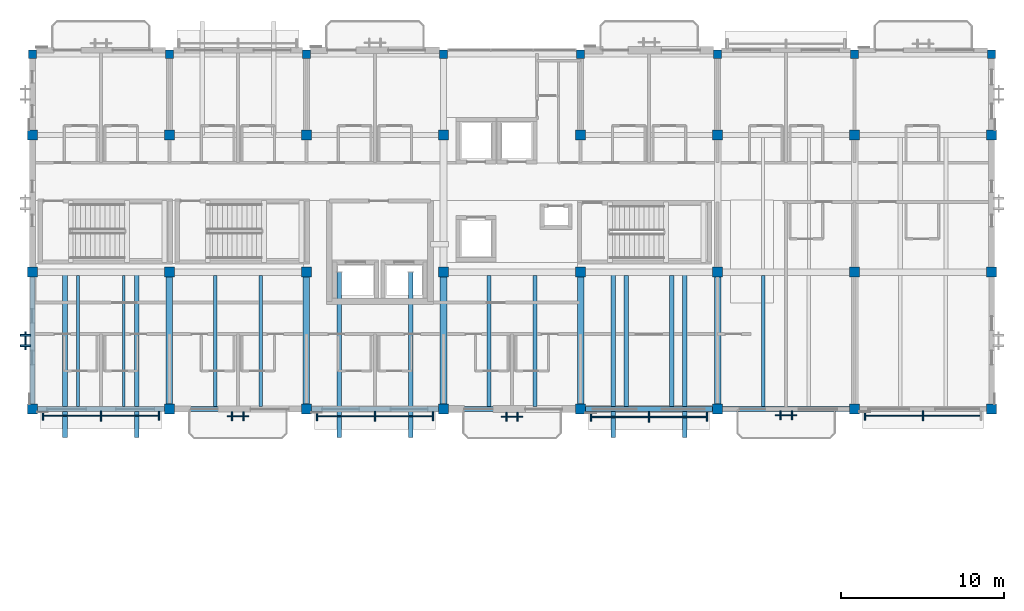
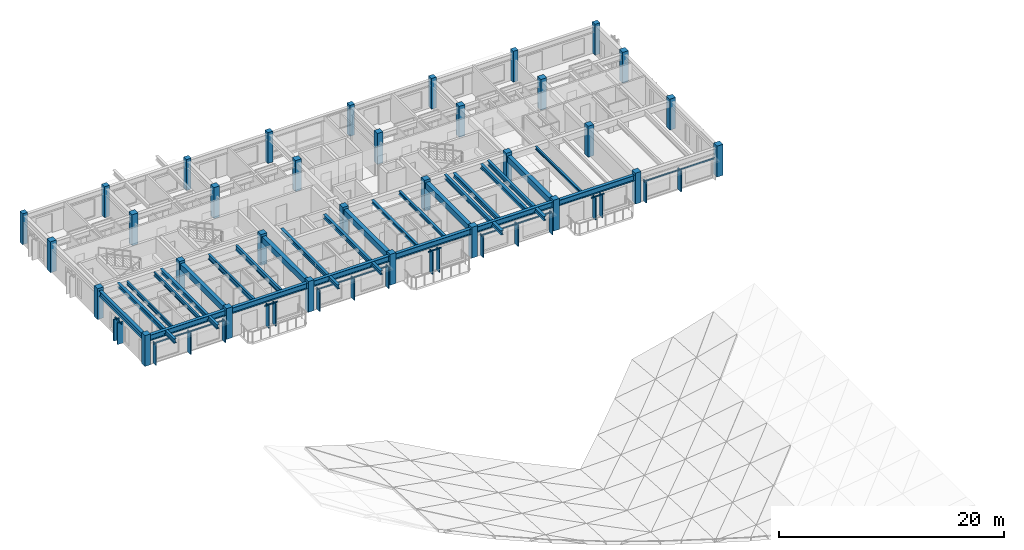
# One storey, part 1 of 31: 32 columns, 27 beams, 27 members, 8 elements without a shape of their own.
"""IFC4 building model written with IfcOpenShell, lengths in metres."""

import ifcopenshell
import ifcopenshell.guid

model = None  # the IFC model being written
_history = None  # IfcOwnerHistory: only IFC2X3 demands one
_inside = {}  # id of a spatial element -> (the spatial element, [elements in it])
_under = {}  # id of a project, library or spatial element -> (it, [spatial elements below it])
_declared = {}  # id of a project -> (the project, [libraries it declares])
_typed = {}  # id of a type object -> (the type object, [elements of that type])
_made_of = {}  # id of a material, layer set ... -> (it, [elements and type objects made of it])


def new_model(schema):
    """Start an empty IFC model of exactly this schema.

    Asked for "IFC4X3", IfcOpenShell would pick the latest addendum, in which some entities
    have other attributes; the version numbers below select the first issue.
    IFC2X3 requires an IfcOwnerHistory on every rooted entity: one is made here for all.
    """
    global model, _history
    if schema == "IFC4X3":
        model = ifcopenshell.file(schema_version=(4, 3, 0, 0))
    else:
        model = ifcopenshell.file(schema=schema)
    _inside.clear()
    _under.clear()
    _declared.clear()
    _typed.clear()
    _made_of.clear()
    _history = None
    if model.schema == "IFC2X3":
        org = make("IfcOrganization", Name="unknown")
        user = make(
            "IfcPersonAndOrganization",
            ThePerson=make("IfcPerson", FamilyName="unknown"),
            TheOrganization=org,
        )
        app = make(
            "IfcApplication",
            ApplicationDeveloper=org,
            Version="unknown",
            ApplicationFullName="unknown",
            ApplicationIdentifier="unknown",
        )
        _history = make(
            "IfcOwnerHistory",
            OwningUser=user,
            OwningApplication=app,
            ChangeAction="ADDED",
            CreationDate=0,
        )
    return model


def make(cls, **values):
    """One entity of the class cls with the attributes given. An attribute that is None is left unset."""
    return model.create_entity(
        cls, **{name: value for name, value in values.items() if value is not None}
    )


def rooted(cls, **values):
    """An entity with a GlobalId (a new one), such as an element, a storey or a relation."""
    return make(cls, GlobalId=ifcopenshell.guid.new(), OwnerHistory=_history, **values)


def si_unit(unit_type, name, prefix=None):
    """IfcSIUnit, for example si_unit("LENGTHUNIT", "METRE", prefix="MILLI")."""
    return make("IfcSIUnit", UnitType=unit_type, Prefix=prefix, Name=name)


def assignment(units):
    """IfcUnitAssignment: the units of a project."""
    return None if units is None else make("IfcUnitAssignment", Units=units)


def point(xyz):
    """IfcCartesianPoint."""
    return None if xyz is None else make("IfcCartesianPoint", Coordinates=xyz)


def direction(xyz):
    """IfcDirection."""
    return None if xyz is None else make("IfcDirection", DirectionRatios=xyz)


def frame(location, z_axis=None, x_axis=None):
    """IfcAxis2Placement3D, a coordinate frame: its origin and axes. An axis left out is left unset."""
    return make(
        "IfcAxis2Placement3D",
        Location=point(location),
        Axis=direction(z_axis),
        RefDirection=direction(x_axis),
    )


def frame_2d(location, x_axis=None):
    """IfcAxis2Placement2D, a coordinate frame in the plane: its origin and x axis."""
    return make(
        "IfcAxis2Placement2D", Location=point(location), RefDirection=direction(x_axis)
    )


def origin():
    """The frame at (0, 0, 0) with its axes left unset."""
    return frame((0.0, 0.0, 0.0))


def origin_2d():
    """The frame at (0, 0) in the plane with its x axis left unset."""
    return frame_2d((0.0, 0.0))


def place(relative_to, where):
    """IfcLocalPlacement: puts the frame where relative to a parent placement (None: the world)."""
    return make(
        "IfcLocalPlacement", PlacementRelTo=relative_to, RelativePlacement=where
    )


def context(
    kind, dimensions, precision=None, world=None, true_north=None, identifier=None
):
    """IfcGeometricRepresentationContext, for example the 3D "Model" context."""
    return make(
        "IfcGeometricRepresentationContext",
        ContextIdentifier=identifier,
        ContextType=kind,
        CoordinateSpaceDimension=dimensions,
        Precision=precision,
        WorldCoordinateSystem=world,
        TrueNorth=true_north,
    )


def subcontext(parent, identifier, kind, view, scale=None):
    """IfcGeometricRepresentationSubContext, for example "Body" below "Model"."""
    return make(
        "IfcGeometricRepresentationSubContext",
        ContextIdentifier=identifier,
        ContextType=kind,
        ParentContext=parent,
        TargetScale=scale,
        TargetView=view,
    )


def project(units=None, contexts=None):
    """IfcProject with its units and contexts."""
    return rooted(
        "IfcProject",
        Name="project",
        RepresentationContexts=contexts,
        UnitsInContext=assignment(units),
    )


def spatial(cls, under=None, at=None, **own):
    """A site, building, storey or space (cls), placed at a placement, below another one or the project."""
    s = rooted(cls, ObjectPlacement=at, **own)
    if under is not None:
        _under.setdefault(under.id(), (under, []))[1].append(s)
    return s


def profile(cls, at=None, kind="AREA", **sizes):
    """A parametric profile (cls). Its sizes go by their IFC names, for example OverallWidth=200.0."""
    return make(cls, ProfileType=kind, Position=at, **sizes)


def rectangle(**sizes):
    """IfcRectangleProfileDef."""
    return profile("IfcRectangleProfileDef", **sizes)


def i_section(**sizes):
    """IfcIShapeProfileDef."""
    return profile("IfcIShapeProfileDef", **sizes)


def extrude(swept, where, along, depth):
    """IfcExtrudedAreaSolid: the profile swept, set in the frame where, extruded along a direction by depth."""
    return make(
        "IfcExtrudedAreaSolid",
        SweptArea=swept,
        Position=where,
        ExtrudedDirection=direction(along),
        Depth=depth,
    )


def shape(context_of_items, identifier, shape_type, items):
    """IfcShapeRepresentation: the items that make up one representation, for example the "Body"."""
    return make(
        "IfcShapeRepresentation",
        ContextOfItems=context_of_items,
        RepresentationIdentifier=identifier,
        RepresentationType=shape_type,
        Items=items,
    )


def material(Name=None, Category=None):
    """IfcMaterial."""
    return make("IfcMaterial", Name=Name, Category=Category)


def material_profile(
    of_material, cross_section, Name=None, Category=None, Priority=None
):
    """IfcMaterialProfile: a cross section and its material."""
    return make(
        "IfcMaterialProfile",
        Name=Name,
        Material=of_material,
        Profile=cross_section,
        Priority=Priority,
        Category=Category,
    )


def profile_set(profiles, Name=None, composite=None):
    """IfcMaterialProfileSet."""
    return make(
        "IfcMaterialProfileSet",
        Name=Name,
        MaterialProfiles=profiles,
        CompositeProfile=composite,
    )


def made_of(thing, what):
    """Note that an element or type object is made of a material, layer set ...; save() writes the relation."""
    if what is not None:
        _made_of.setdefault(what.id(), (what, []))[1].append(thing)
    return thing


def type_object(cls, material=None, **own):
    """A type object (cls), such as IfcWallType, which elements share."""
    return made_of(rooted(cls, **own), material)


def element(
    cls,
    number,
    at=None,
    inside=None,
    cuts=None,
    type_object=None,
    material=None,
    context=None,
    identifier="Body",
    shape_type=None,
    held_by="IfcProductDefinitionShape",
    body=None,
    shapes=None,
    **own,
):
    """One element of the class cls, such as IfcWall. Its Tag is "e" and its number.

    at: its placement. inside: the storey or other place that contains it. cuts: it is an
    opening in that element (IfcRelVoidsElement). A single representation is given by context,
    identifier, shape_type and body (its items); several are given by shapes. held_by: the class
    of the entity that holds the representations. save() writes the other relations.
    """
    e = rooted(cls, Tag="e%d" % number, ObjectPlacement=at, **own)
    if body is not None:
        shapes = [shape(context, identifier, shape_type, body)]
    if shapes is not None:
        e.Representation = make(held_by, Representations=shapes)
    if inside is not None:
        _inside.setdefault(inside.id(), (inside, []))[1].append(e)
    if cuts is not None:
        rooted(
            "IfcRelVoidsElement", RelatingBuildingElement=cuts, RelatedOpeningElement=e
        )
    if type_object is not None:
        _typed.setdefault(type_object.id(), (type_object, []))[1].append(e)
    return made_of(e, material)


def aggregate(whole, parts):
    """IfcRelAggregates: a whole, such as a stair, and the parts it consists of."""
    return rooted("IfcRelAggregates", RelatingObject=whole, RelatedObjects=parts)


def save(model, path):
    """Write the relations noted so far, then the file.

    IfcRelAggregates (storeys below a building ...), IfcRelContainedInSpatialStructure (elements
    in a storey), IfcRelDefinesByType, IfcRelAssociatesMaterial and IfcRelDeclares: one each for
    every whole, place, type object, material and project.
    """
    for whole, parts in _under.values():
        aggregate(whole, parts)
    for where, things in _inside.values():
        rooted(
            "IfcRelContainedInSpatialStructure",
            RelatedElements=things,
            RelatingStructure=where,
        )
    for kind, things in _typed.values():
        rooted("IfcRelDefinesByType", RelatedObjects=things, RelatingType=kind)
    for what, things in _made_of.values():
        rooted("IfcRelAssociatesMaterial", RelatedObjects=things, RelatingMaterial=what)
    for by, libraries in _declared.values():
        rooted("IfcRelDeclares", RelatingContext=by, RelatedDefinitions=libraries)
    model.write(path)


model = new_model("IFC4")

# Units and contexts
model_context = context("Model", 3, precision=1e-05, world=origin(), true_north=direction((0.0, 1.0)))
body_context = subcontext(model_context, "Body", "Model", "MODEL_VIEW")
ifc_project = project(units=[si_unit("LENGTHUNIT", "METRE"), si_unit("AREAUNIT", "SQUARE_METRE"), si_unit("VOLUMEUNIT", "CUBIC_METRE"), si_unit("PLANEANGLEUNIT", "RADIAN"), si_unit("MASSUNIT", "GRAM", prefix="KILO")], contexts=[model_context])

# Site, building, storey
site_placement = place(None, origin())
site = spatial("IfcSite", under=ifc_project, at=site_placement, CompositionType="ELEMENT")
building_placement = place(site_placement, origin())
building = spatial("IfcBuilding", under=site, at=building_placement, Name="Cumbredor Promenade Congress Hotel", CompositionType="ELEMENT")
storey_placement = place(building_placement, frame((0.0, 0.0, 31.919921875)))
storey = spatial("IfcBuildingStorey", under=building, at=storey_placement, Name="L09", CompositionType="ELEMENT", Elevation=31.919921875)

# Columns
ifc_material_1 = material(Name="Concrete C40/50", Category="concrete")
ifc_material_profile_1 = material_profile(ifc_material_1, rectangle(XDim=0.5, YDim=0.5, at=origin_2d()), Name="RC 500x500")
ifc_profile_set_1 = profile_set([ifc_material_profile_1], Name="Concrete C40/50")
column_type_1 = type_object("IfcColumnType", Name="COL-RC-500", PredefinedType="COLUMN", material=ifc_profile_set_1)
for number, where, z_axis, x_axis, name in (
    (1, (8.39990234375, 114.14990234375, 0.0), (0.0, 0.0, 1.0), (1.0, 0.0, 0.0), "L09 Structural Column 004"),
    (2, (16.800048828125, 114.14990234375, 0.0), (0.0, 0.0, 1.0), (1.0, 0.0, 0.0), "L09 Structural Column 008"),
    (3, (25.199951171875, 114.14990234375, 0.0), (0.0, 0.0, 1.0), (1.0, 0.0, 0.0), "L09 Structural Column 012"),
    (4, (33.60009765625, 114.14990234375, 0.0), (0.0, 0.0, 1.0), (1.0, 0.0, 0.0), "L09 Structural Column 016"),
    (5, (42.0, 114.14990234375, 0.0), (0.0, 0.0, 1.0), (1.0, 0.0, 0.0), "L09 Structural Column 020"),
    (6, (50.39990234375, 114.14990234375, 0.0), (0.0, 0.0, 1.0), (1.0, 0.0, 0.0), "L09 Structural Column 024"),
    (7, (58.800048828125, 114.14990234375, 0.0), (0.0, 0.0, 1.0), (1.0, 0.0, 0.0), "L09 Structural Column 028"),
    (8, (67.199951171875, 114.14990234375, 0.0), (0.0, 0.0, 1.0), (1.0, 0.0, 0.0), "L09 Structural Column 032"),
):
    element("IfcColumn", number, at=place(storey_placement, frame(where, z_axis=z_axis, x_axis=x_axis)), inside=storey, type_object=column_type_1, Name=name, PredefinedType="COLUMN", context=body_context, shape_type="SweptSolid", body=[
        extrude(rectangle(XDim=0.5, YDim=0.5, at=origin_2d()), origin(), (0.0, 0.0, 1.0), 3.360107421875),
    ])
ifc_material_profile_2 = material_profile(ifc_material_1, rectangle(XDim=0.60009765625, YDim=0.60009765625, at=origin_2d()), Name="RC 600x600")
ifc_profile_set_2 = profile_set([ifc_material_profile_2], Name="Concrete C40/50")
column_type_2 = type_object("IfcColumnType", Name="COL-RC-600", PredefinedType="COLUMN", material=ifc_profile_set_2)
for number, where, z_axis, x_axis, name in (
    (9, (8.39990234375, 92.39990234375, 0.0), (0.0, 0.0, 1.0), (1.0, 0.0, 0.0), "L09 Structural Column 001"),
    (10, (8.39990234375, 100.800048828125, 0.0), (0.0, 0.0, 1.0), (1.0, 0.0, 0.0), "L09 Structural Column 002"),
    (11, (8.39990234375, 109.199951171875, 0.0), (0.0, 0.0, 1.0), (1.0, 0.0, 0.0), "L09 Structural Column 003"),
    (12, (16.800048828125, 92.39990234375, 0.0), (0.0, 0.0, 1.0), (1.0, 0.0, 0.0), "L09 Structural Column 005"),
    (13, (16.800048828125, 100.800048828125, 0.0), (0.0, 0.0, 1.0), (1.0, 0.0, 0.0), "L09 Structural Column 006"),
    (14, (16.800048828125, 109.199951171875, 0.0), (0.0, 0.0, 1.0), (1.0, 0.0, 0.0), "L09 Structural Column 007"),
    (15, (25.199951171875, 92.39990234375, 0.0), (0.0, 0.0, 1.0), (1.0, 0.0, 0.0), "L09 Structural Column 009"),
    (16, (25.199951171875, 100.800048828125, 0.0), (0.0, 0.0, 1.0), (1.0, 0.0, 0.0), "L09 Structural Column 010"),
    (17, (25.199951171875, 109.199951171875, 0.0), (0.0, 0.0, 1.0), (1.0, 0.0, 0.0), "L09 Structural Column 011"),
    (18, (33.60009765625, 92.39990234375, 0.0), (0.0, 0.0, 1.0), (1.0, 0.0, 0.0), "L09 Structural Column 013"),
    (19, (33.60009765625, 100.800048828125, 0.0), (0.0, 0.0, 1.0), (1.0, 0.0, 0.0), "L09 Structural Column 014"),
    (20, (33.60009765625, 109.199951171875, 0.0), (0.0, 0.0, 1.0), (1.0, 0.0, 0.0), "L09 Structural Column 015"),
    (21, (42.0, 92.39990234375, 0.0), (0.0, 0.0, 1.0), (1.0, 0.0, 0.0), "L09 Structural Column 017"),
    (22, (42.0, 100.800048828125, 0.0), (0.0, 0.0, 1.0), (1.0, 0.0, 0.0), "L09 Structural Column 018"),
    (23, (42.0, 109.199951171875, 0.0), (0.0, 0.0, 1.0), (1.0, 0.0, 0.0), "L09 Structural Column 019"),
    (24, (50.39990234375, 92.39990234375, 0.0), (0.0, 0.0, 1.0), (1.0, 0.0, 0.0), "L09 Structural Column 021"),
    (25, (50.39990234375, 100.800048828125, 0.0), (0.0, 0.0, 1.0), (1.0, 0.0, 0.0), "L09 Structural Column 022"),
    (26, (50.39990234375, 109.199951171875, 0.0), (0.0, 0.0, 1.0), (1.0, 0.0, 0.0), "L09 Structural Column 023"),
    (27, (58.800048828125, 92.39990234375, 0.0), (0.0, 0.0, 1.0), (1.0, 0.0, 0.0), "L09 Structural Column 025"),
    (28, (58.800048828125, 100.800048828125, 0.0), (0.0, 0.0, 1.0), (1.0, 0.0, 0.0), "L09 Structural Column 026"),
    (29, (58.800048828125, 109.199951171875, 0.0), (0.0, 0.0, 1.0), (1.0, 0.0, 0.0), "L09 Structural Column 027"),
    (30, (67.199951171875, 92.39990234375, 0.0), (0.0, 0.0, 1.0), (1.0, 0.0, 0.0), "L09 Structural Column 029"),
    (31, (67.199951171875, 100.800048828125, 0.0), (0.0, 0.0, 1.0), (1.0, 0.0, 0.0), "L09 Structural Column 030"),
    (32, (67.199951171875, 109.199951171875, 0.0), (0.0, 0.0, 1.0), (1.0, 0.0, 0.0), "L09 Structural Column 031"),
):
    element("IfcColumn", number, at=place(storey_placement, frame(where, z_axis=z_axis, x_axis=x_axis)), inside=storey, type_object=column_type_2, Name=name, PredefinedType="COLUMN", context=body_context, shape_type="SweptSolid", body=[
        extrude(rectangle(XDim=0.60009765625, YDim=0.60009765625, at=origin_2d()), origin(), (0.0, 0.0, 1.0), 3.360107421875),
    ])

# Beams
ifc_material_profile_3 = material_profile(ifc_material_1, rectangle(XDim=0.39990234375, YDim=0.64990234375, at=origin_2d()), Name="RC BEAM 400x650")
ifc_profile_set_3 = profile_set([ifc_material_profile_3], Name="Concrete C40/50")
beam_type_1 = type_object("IfcBeamType", Name="BM-RC-400x650", PredefinedType="BEAM", material=ifc_profile_set_3)
for number, where, z_axis, x_axis, name in (
    (33, (16.800048828125, 92.699951171875, 2.775146484375), (0.0, 1.0, 0.0), (-1.0, 0.0, 0.0), "L10 Y-Grid Beam 008"),
    (34, (25.199951171875, 92.699951171875, 2.775146484375), (0.0, 1.0, 0.0), (-1.0, 0.0, 0.0), "L10 Y-Grid Beam 013"),
    (35, (33.60009765625, 92.699951171875, 2.775146484375), (0.0, 1.0, 0.0), (-1.0, 0.0, 0.0), "L10 Y-Grid Beam 017"),
    (36, (42.0, 92.699951171875, 2.775146484375), (0.0, 1.0, 0.0), (-1.0, 0.0, 0.0), "L10 Y-Grid Beam 022"),
    (37, (50.39990234375, 92.699951171875, 2.715087890625), (0.0, 1.0, 0.0), (-1.0, 0.0, 0.0), "L10 Y-Grid Beam 027"),
):
    element("IfcBeam", number, at=place(storey_placement, frame(where, z_axis=z_axis, x_axis=x_axis)), inside=storey, type_object=beam_type_1, Name=name, PredefinedType="BEAM", context=body_context, shape_type="SweptSolid", body=[
        extrude(rectangle(XDim=0.39990234375, YDim=0.64990234375, at=origin_2d()), origin(), (0.0, 0.0, 1.0), 7.800048828125),
    ])
ifc_material_2 = material(Name="Steel ASTM A992 Grade 50", Category="steel")
ifc_material_profile_4 = material_profile(ifc_material_2, i_section(OverallWidth=0.323974609375, OverallDepth=0.611083984375, WebThickness=0.0126953125, FlangeThickness=0.01904296875, at=origin_2d()), Name="W24X104")
ifc_profile_set_4 = profile_set([ifc_material_profile_4], Name="Steel ASTM A992 Grade 50")
beam_type_2 = type_object("IfcBeamType", Name="BM-W24X104", PredefinedType="BEAM", material=ifc_profile_set_4)
beam_1_placement = place(storey_placement, frame((8.699951171875, 92.39990234375, 2.794677734375), z_axis=(1.0, 0.0, 0.0), x_axis=(0.0, 1.0, 0.0)))
element("IfcBeam", 38, at=beam_1_placement, inside=storey, type_object=beam_type_2, Name="L10 X-Grid Beam 001", PredefinedType="BEAM", context=body_context, shape_type="SweptSolid", body=[
    extrude(i_section(OverallWidth=0.323974609375, OverallDepth=0.611083984375, WebThickness=0.0126953125, FlangeThickness=0.01904296875, at=origin_2d()), origin(), (0.0, 0.0, 1.0), 7.800048828125),
])
beam_2_placement = place(storey_placement, frame((17.10009765625, 92.39990234375, 2.794677734375), z_axis=(1.0, 0.0, 0.0), x_axis=(0.0, 1.0, 0.0)))
element("IfcBeam", 39, at=beam_2_placement, inside=storey, type_object=beam_type_2, Name="L10 X-Grid Beam 007", PredefinedType="BEAM", context=body_context, shape_type="SweptSolid", body=[
    extrude(i_section(OverallWidth=0.323974609375, OverallDepth=0.611083984375, WebThickness=0.0126953125, FlangeThickness=0.01904296875, at=origin_2d()), origin(), (0.0, 0.0, 1.0), 7.7998046875),
])
for number, where, z_axis, x_axis, name in (
    (40, (25.5, 92.39990234375, 2.794677734375), (1.0, 0.0, 0.0), (0.0, 1.0, 0.0), "L10 X-Grid Beam 012"),
    (41, (33.89990234375, 92.39990234375, 2.794677734375), (1.0, 0.0, 0.0), (0.0, 1.0, 0.0), "L10 X-Grid Beam 016"),
    (42, (42.300048828125, 92.39990234375, 2.794677734375), (1.0, 0.0, 0.0), (0.0, 1.0, 0.0), "L10 X-Grid Beam 021"),
    (43, (50.699951171875, 92.39990234375, 2.734619140625), (1.0, 0.0, 0.0), (0.0, 1.0, 0.0), "L10 X-Grid Beam 026"),
):
    element("IfcBeam", number, at=place(storey_placement, frame(where, z_axis=z_axis, x_axis=x_axis)), inside=storey, type_object=beam_type_2, Name=name, PredefinedType="BEAM", context=body_context, shape_type="SweptSolid", body=[
        extrude(i_section(OverallWidth=0.323974609375, OverallDepth=0.611083984375, WebThickness=0.0126953125, FlangeThickness=0.01904296875, at=origin_2d()), origin(), (0.0, 0.0, 1.0), 7.800048828125),
    ])

# Curtain wall, member
ifc_material_3 = material(Name="Thermally broken anodized aluminium and low-E glass", Category="aluminium")
curtain_wall_type = type_object("IfcCurtainWallType", Name="Solar Brise-Soleil Screen Assembly CW-07", PredefinedType="NOTDEFINED", material=ifc_material_3)
curtain_wall_1_placement = place(storey_placement, origin())
curtain_wall_1 = element("IfcCurtainWall", 44, at=curtain_wall_1_placement, inside=storey, type_object=curtain_wall_type, Name="L09 Hospitality Brise-Soleil Screen 111", PredefinedType="NOTDEFINED")
ifc_material_4 = material(Name="Thermally broken anodized aluminium", Category="aluminium")
ifc_material_profile_5 = material_profile(ifc_material_4, rectangle(XDim=0.06494140625, YDim=0.1298828125, at=origin_2d()), Name="ALU TRANSOM 65x130")
ifc_profile_set_5 = profile_set([ifc_material_profile_5], Name="Thermally broken anodized aluminium")
member_type_1 = type_object("IfcMemberType", Name="Curtain Wall Transom TR-01", PredefinedType="USERDEFINED", material=ifc_profile_set_5)
member_1_placement = place(storey_placement, frame((9.0009765625, 91.9775390625, 2.294189453125), z_axis=(1.0, 0.0, 0.0), x_axis=(0.0, 1.0, 0.0)))
member_1 = element("IfcMember", 45, at=member_1_placement, type_object=member_type_1, Name="L09 Brise-Soleil Screen Transom 111", ObjectType="TRANSOM", PredefinedType="USERDEFINED", context=body_context, shape_type="SweptSolid", body=[
    extrude(rectangle(XDim=0.06494140625, YDim=0.1298828125, at=origin_2d()), origin(), (0.0, 0.0, 1.0), 7.197998046875),
])

curtain_wall_2_placement = place(storey_placement, origin())
curtain_wall_2 = element("IfcCurtainWall", 46, at=curtain_wall_2_placement, inside=storey, type_object=curtain_wall_type, Name="L09 Veranda Solar Brise-Soleil Screen 1096", PredefinedType="NOTDEFINED")
member_2_placement = place(storey_placement, frame((20.35009765625, 91.965087890625, 2.39404296875), z_axis=(1.0, 0.0, 0.0), x_axis=(0.0, 1.0, 0.0)))
member_2 = element("IfcMember", 47, at=member_2_placement, type_object=member_type_1, Name="L09 Brise-Soleil Header Tie 1098", ObjectType="TRANSOM", PredefinedType="USERDEFINED", context=body_context, shape_type="SweptSolid", body=[
    extrude(rectangle(XDim=0.06494140625, YDim=0.1298828125, at=origin_2d()), origin(), (0.0, 0.0, 1.0), 1.2998046875),
])

curtain_wall_3_placement = place(storey_placement, origin())
curtain_wall_3 = element("IfcCurtainWall", 48, at=curtain_wall_3_placement, inside=storey, type_object=curtain_wall_type, Name="L09 Hospitality Brise-Soleil Screen 112", PredefinedType="NOTDEFINED")
member_3_placement = place(storey_placement, frame((25.801025390625, 91.949951171875, 2.294189453125), z_axis=(1.0, 0.0, 0.0), x_axis=(0.0, 1.0, 0.0)))
member_3 = element("IfcMember", 49, at=member_3_placement, type_object=member_type_1, Name="L09 Brise-Soleil Screen Transom 112", ObjectType="TRANSOM", PredefinedType="USERDEFINED", context=body_context, shape_type="SweptSolid", body=[
    extrude(rectangle(XDim=0.06494140625, YDim=0.1298828125, at=origin_2d()), origin(), (0.0, 0.0, 1.0), 7.197998046875),
])

curtain_wall_4_placement = place(storey_placement, origin())
curtain_wall_4 = element("IfcCurtainWall", 50, at=curtain_wall_4_placement, inside=storey, type_object=curtain_wall_type, Name="L09 Veranda Solar Brise-Soleil Screen 1102", PredefinedType="NOTDEFINED")
member_4_placement = place(storey_placement, frame((37.14990234375, 91.927490234375, 2.39404296875), z_axis=(1.0, 0.0, 0.0), x_axis=(0.0, 1.0, 0.0)))
member_4 = element("IfcMember", 51, at=member_4_placement, type_object=member_type_1, Name="L09 Brise-Soleil Header Tie 1104", ObjectType="TRANSOM", PredefinedType="USERDEFINED", context=body_context, shape_type="SweptSolid", body=[
    extrude(rectangle(XDim=0.06494140625, YDim=0.1298828125, at=origin_2d()), origin(), (0.0, 0.0, 1.0), 1.300048828125),
])

curtain_wall_5_placement = place(storey_placement, origin())
curtain_wall_5 = element("IfcCurtainWall", 52, at=curtain_wall_5_placement, inside=storey, type_object=curtain_wall_type, Name="L09 Hospitality Brise-Soleil Screen 113", PredefinedType="NOTDEFINED")
member_5_placement = place(storey_placement, frame((42.60107421875, 91.9150390625, 2.294189453125), z_axis=(1.0, 0.0, 0.0), x_axis=(0.0, 1.0, 0.0)))
member_5 = element("IfcMember", 53, at=member_5_placement, type_object=member_type_1, Name="L09 Brise-Soleil Screen Transom 113", ObjectType="TRANSOM", PredefinedType="USERDEFINED", context=body_context, shape_type="SweptSolid", body=[
    extrude(rectangle(XDim=0.06494140625, YDim=0.1298828125, at=origin_2d()), origin(), (0.0, 0.0, 1.0), 7.197998046875),
])

curtain_wall_6_placement = place(storey_placement, origin())
curtain_wall_6 = element("IfcCurtainWall", 54, at=curtain_wall_6_placement, inside=storey, type_object=curtain_wall_type, Name="L09 Veranda Solar Brise-Soleil Screen 1108", PredefinedType="NOTDEFINED")
member_6_placement = place(storey_placement, frame((53.949951171875, 92.010009765625, 2.333984375), z_axis=(1.0, 0.0, 0.0), x_axis=(0.0, 1.0, 0.0)))
member_6 = element("IfcMember", 55, at=member_6_placement, type_object=member_type_1, Name="L09 Brise-Soleil Header Tie 1110", ObjectType="TRANSOM", PredefinedType="USERDEFINED", context=body_context, shape_type="SweptSolid", body=[
    extrude(rectangle(XDim=0.06494140625, YDim=0.1298828125, at=origin_2d()), origin(), (0.0, 0.0, 1.0), 1.300048828125),
])

curtain_wall_7_placement = place(storey_placement, origin())
curtain_wall_7 = element("IfcCurtainWall", 56, at=curtain_wall_7_placement, inside=storey, type_object=curtain_wall_type, Name="L09 Hospitality Brise-Soleil Screen 114", PredefinedType="NOTDEFINED")
member_7_placement = place(storey_placement, frame((59.40087890625, 92.0, 2.234130859375), z_axis=(1.0, 0.0, 0.0), x_axis=(0.0, 1.0, 0.0)))
member_7 = element("IfcMember", 57, at=member_7_placement, type_object=member_type_1, Name="L09 Brise-Soleil Screen Transom 114", ObjectType="TRANSOM", PredefinedType="USERDEFINED", context=body_context, shape_type="SweptSolid", body=[
    extrude(rectangle(XDim=0.06494140625, YDim=0.1298828125, at=origin_2d()), origin(), (0.0, 0.0, 1.0), 7.1982421875),
])

curtain_wall_8_placement = place(storey_placement, origin())
curtain_wall_8 = element("IfcCurtainWall", 58, at=curtain_wall_8_placement, inside=storey, type_object=curtain_wall_type, Name="L09 Pier Brise-Soleil Screen 1132", PredefinedType="NOTDEFINED")
member_8_placement = place(storey_placement, frame((7.9775390625, 96.050048828125, 2.31396484375), z_axis=(0.0, 1.0, 0.0), x_axis=(-1.0, 0.0, 0.0)))
member_8 = element("IfcMember", 59, at=member_8_placement, type_object=member_type_1, Name="L09 Pier Brise-Soleil Header 1134", ObjectType="TRANSOM", PredefinedType="USERDEFINED", context=body_context, shape_type="SweptSolid", body=[
    extrude(rectangle(XDim=0.06494140625, YDim=0.1298828125, at=origin_2d()), origin(), (0.0, 0.0, 1.0), 1.099853515625),
])

# Beams
ifc_material_profile_6 = material_profile(ifc_material_2, i_section(OverallWidth=0.202880859375, OverallDepth=0.302978515625, WebThickness=0.007568359375, FlangeThickness=0.01318359375, at=origin_2d()), Name="W12X40")
ifc_profile_set_6 = profile_set([ifc_material_profile_6], Name="Steel ASTM A992 Grade 50")
beam_type_3 = type_object("IfcBeamType", Name="JST-W12X40", PredefinedType="JOIST", material=ifc_profile_set_6)
beam_3_placement = place(storey_placement, frame((53.199951171875, 92.56201171875, 2.888671875), z_axis=(0.0, 1.0, 0.0), x_axis=(-1.0, 0.0, 0.0)))
element("IfcBeam", 60, at=beam_3_placement, inside=storey, type_object=beam_type_3, Name="L10 Secondary Floor Joist 0009", PredefinedType="JOIST", context=body_context, shape_type="SweptSolid", body=[
    extrude(i_section(OverallWidth=0.202880859375, OverallDepth=0.302978515625, WebThickness=0.007568359375, FlangeThickness=0.01318359375, at=origin_2d()), origin(), (0.0, 0.0, 1.0), 8.0380859375),
])
ifc_material_profile_7 = material_profile(ifc_material_2, i_section(OverallWidth=0.2548828125, OverallDepth=0.35693359375, WebThickness=0.010498046875, FlangeThickness=0.018310546875, at=origin_2d()), Name="W14X68")
ifc_profile_set_7 = profile_set([ifc_material_profile_7], Name="Steel ASTM A992 Grade 50")
beam_type_4 = type_object("IfcBeamType", Name="JST-W14X68", PredefinedType="JOIST", material=ifc_profile_set_7)
for number, where, z_axis, x_axis, name in (
    (61, (36.39990234375, 92.56201171875, 2.921630859375), (0.0, 1.0, 0.0), (-1.0, 0.0, 0.0), "L10 Secondary Floor Joist 0005"),
    (62, (39.199951171875, 92.56201171875, 2.921630859375), (0.0, 1.0, 0.0), (-1.0, 0.0, 0.0), "L10 Secondary Floor Joist 0006"),
):
    element("IfcBeam", number, at=place(storey_placement, frame(where, z_axis=z_axis, x_axis=x_axis)), inside=storey, type_object=beam_type_4, Name=name, PredefinedType="JOIST", context=body_context, shape_type="SweptSolid", body=[
        extrude(i_section(OverallWidth=0.2548828125, OverallDepth=0.35693359375, WebThickness=0.010498046875, FlangeThickness=0.018310546875, at=origin_2d()), origin(), (0.0, 0.0, 1.0), 8.0380859375),
    ])
ifc_material_profile_8 = material_profile(ifc_material_2, i_section(OverallWidth=0.180908203125, OverallDepth=0.4169921875, WebThickness=0.010986328125, FlangeThickness=0.018310546875, at=origin_2d()), Name="W16X57")
ifc_profile_set_8 = profile_set([ifc_material_profile_8], Name="Steel ASTM A992 Grade 50")
beam_type_5 = type_object("IfcBeamType", Name="JST-W16X57", PredefinedType="JOIST", material=ifc_profile_set_8)
for number, where, z_axis, x_axis, name in (
    (63, (11.199951171875, 92.56201171875, 2.8916015625), (0.0, 1.0, 0.0), (-1.0, 0.0, 0.0), "L10 Secondary Floor Joist 0001"),
    (64, (14.0, 92.56201171875, 2.8916015625), (0.0, 1.0, 0.0), (-1.0, 0.0, 0.0), "L10 Secondary Floor Joist 0002"),
):
    element("IfcBeam", number, at=place(storey_placement, frame(where, z_axis=z_axis, x_axis=x_axis)), inside=storey, type_object=beam_type_5, Name=name, PredefinedType="JOIST", context=body_context, shape_type="SweptSolid", body=[
        extrude(i_section(OverallWidth=0.180908203125, OverallDepth=0.4169921875, WebThickness=0.010986328125, FlangeThickness=0.018310546875, at=origin_2d()), origin(), (0.0, 0.0, 1.0), 8.0380859375),
    ])
ifc_material_profile_9 = material_profile(ifc_material_2, i_section(OverallWidth=0.280029296875, OverallDepth=0.462890625, WebThickness=0.0107421875, FlangeThickness=0.017333984375, at=origin_2d()), Name="W18X76")
ifc_profile_set_9 = profile_set([ifc_material_profile_9], Name="Steel ASTM A992 Grade 50")
beam_type_6 = type_object("IfcBeamType", Name="JST-W18X76", PredefinedType="JOIST", material=ifc_profile_set_9)
for number, where, z_axis, x_axis, name in (
    (65, (10.39990234375, 90.64990234375, 2.86865234375), (0.0, 1.0, 0.0), (-1.0, 0.0, 0.0), "L10 Balcony Back-Spanned Outrigger Beam 061.1"),
    (66, (14.800048828125, 90.64990234375, 2.86865234375), (0.0, 1.0, 0.0), (-1.0, 0.0, 0.0), "L10 Balcony Back-Spanned Outrigger Beam 061.2"),
    (67, (27.199951171875, 90.64990234375, 2.86865234375), (0.0, 1.0, 0.0), (-1.0, 0.0, 0.0), "L10 Balcony Back-Spanned Outrigger Beam 062.1"),
    (68, (31.60009765625, 90.64990234375, 2.86865234375), (0.0, 1.0, 0.0), (-1.0, 0.0, 0.0), "L10 Balcony Back-Spanned Outrigger Beam 062.2"),
    (69, (44.0, 90.64990234375, 2.86865234375), (0.0, 1.0, 0.0), (-1.0, 0.0, 0.0), "L10 Balcony Back-Spanned Outrigger Beam 063.1"),
    (70, (48.39990234375, 90.64990234375, 2.86865234375), (0.0, 1.0, 0.0), (-1.0, 0.0, 0.0), "L10 Balcony Back-Spanned Outrigger Beam 063.2"),
):
    element("IfcBeam", number, at=place(storey_placement, frame(where, z_axis=z_axis, x_axis=x_axis)), inside=storey, type_object=beam_type_6, Name=name, PredefinedType="JOIST", context=body_context, shape_type="SweptSolid", body=[
        extrude(i_section(OverallWidth=0.280029296875, OverallDepth=0.462890625, WebThickness=0.0107421875, FlangeThickness=0.017333984375, at=origin_2d()), origin(), (0.0, 0.0, 1.0), 10.150146484375),
    ])
for number, where, z_axis, x_axis, name in (
    (71, (44.800048828125, 92.56201171875, 2.86865234375), (0.0, 1.0, 0.0), (-1.0, 0.0, 0.0), "L10 Secondary Floor Joist 0007"),
    (72, (47.60009765625, 92.56201171875, 2.86865234375), (0.0, 1.0, 0.0), (-1.0, 0.0, 0.0), "L10 Secondary Floor Joist 0008"),
):
    element("IfcBeam", number, at=place(storey_placement, frame(where, z_axis=z_axis, x_axis=x_axis)), inside=storey, type_object=beam_type_6, Name=name, PredefinedType="JOIST", context=body_context, shape_type="SweptSolid", body=[
        extrude(i_section(OverallWidth=0.280029296875, OverallDepth=0.462890625, WebThickness=0.0107421875, FlangeThickness=0.017333984375, at=origin_2d()), origin(), (0.0, 0.0, 1.0), 8.0380859375),
    ])
ifc_material_profile_10 = material_profile(ifc_material_2, i_section(OverallWidth=0.214111328125, OverallDepth=0.549072265625, WebThickness=0.0146484375, FlangeThickness=0.023681640625, at=origin_2d()), Name="W21X93")
ifc_profile_set_10 = profile_set([ifc_material_profile_10], Name="Steel ASTM A992 Grade 50")
beam_type_7 = type_object("IfcBeamType", Name="JST-W21X93", PredefinedType="JOIST", material=ifc_profile_set_10)
for number, where, z_axis, x_axis, name in (
    (73, (19.60009765625, 92.56201171875, 2.82568359375), (0.0, 1.0, 0.0), (-1.0, 0.0, 0.0), "L10 Secondary Floor Joist 0003"),
    (74, (22.39990234375, 92.56201171875, 2.82568359375), (0.0, 1.0, 0.0), (-1.0, 0.0, 0.0), "L10 Secondary Floor Joist 0004"),
):
    element("IfcBeam", number, at=place(storey_placement, frame(where, z_axis=z_axis, x_axis=x_axis)), inside=storey, type_object=beam_type_7, Name=name, PredefinedType="JOIST", context=body_context, shape_type="SweptSolid", body=[
        extrude(i_section(OverallWidth=0.214111328125, OverallDepth=0.549072265625, WebThickness=0.0146484375, FlangeThickness=0.023681640625, at=origin_2d()), origin(), (0.0, 0.0, 1.0), 8.0380859375),
    ])
ifc_material_profile_11 = material_profile(ifc_material_2, i_section(OverallWidth=0.323974609375, OverallDepth=0.611083984375, WebThickness=0.0126953125, FlangeThickness=0.01904296875, at=origin_2d()), Name="W24X104")
ifc_profile_set_11 = profile_set([ifc_material_profile_11], Name="Steel ASTM A992 Grade 50")
beam_type_8 = type_object("IfcBeamType", Name="SP-W24X104", PredefinedType="SPANDREL", material=ifc_profile_set_11)
beam_4_placement = place(storey_placement, frame((8.39990234375, 92.699951171875, 2.794677734375), z_axis=(0.0, 1.0, 0.0), x_axis=(-1.0, 0.0, 0.0)))
element("IfcBeam", 75, at=beam_4_placement, inside=storey, type_object=beam_type_8, Name="L10 Y-Grid Beam 002", PredefinedType="SPANDREL", context=body_context, shape_type="SweptSolid", body=[
    extrude(i_section(OverallWidth=0.323974609375, OverallDepth=0.611083984375, WebThickness=0.0126953125, FlangeThickness=0.01904296875, at=origin_2d()), origin(), (0.0, 0.0, 1.0), 7.800048828125),
])

# Member
ifc_material_profile_12 = material_profile(ifc_material_4, rectangle(XDim=0.110107421875, YDim=0.6201171875, at=origin_2d()), Name="ARCH FIN 110x620")
ifc_profile_set_12 = profile_set([ifc_material_profile_12], Name="Thermally broken anodized aluminium")
member_type_2 = type_object("IfcMemberType", Name="Vertical Bronze Brise-Soleil Fin BSF-02 110x620", PredefinedType="USERDEFINED", material=ifc_profile_set_12)
member_9_placement = place(storey_placement, frame((12.60009765625, 91.9775390625, 0.02001953125), z_axis=(0.0, 0.0, 1.0), x_axis=(1.0, 0.0, 0.0)))
member_9 = element("IfcMember", 76, at=member_9_placement, type_object=member_type_2, Name="L09 Vertical Brise-Soleil Fin 1094", ObjectType="SOLAR FIN", PredefinedType="USERDEFINED", context=body_context, shape_type="SweptSolid", body=[
    extrude(rectangle(XDim=0.110107421875, YDim=0.6201171875, at=origin_2d()), origin(), (0.0, 0.0, 1.0), 2.333984375),
])

member_10_placement = place(storey_placement, frame((29.39990234375, 91.949951171875, 0.02001953125), z_axis=(0.0, 0.0, 1.0), x_axis=(1.0, 0.0, 0.0)))
member_10 = element("IfcMember", 77, at=member_10_placement, type_object=member_type_2, Name="L09 Vertical Brise-Soleil Fin 1100", ObjectType="SOLAR FIN", PredefinedType="USERDEFINED", context=body_context, shape_type="SweptSolid", body=[
    extrude(rectangle(XDim=0.110107421875, YDim=0.6201171875, at=origin_2d()), origin(), (0.0, 0.0, 1.0), 2.333984375),
])

member_11_placement = place(storey_placement, frame((46.199951171875, 91.9150390625, 0.02001953125), z_axis=(0.0, 0.0, 1.0), x_axis=(1.0, 0.0, 0.0)))
member_11 = element("IfcMember", 78, at=member_11_placement, type_object=member_type_2, Name="L09 Vertical Brise-Soleil Fin 1106", ObjectType="SOLAR FIN", PredefinedType="USERDEFINED", context=body_context, shape_type="SweptSolid", body=[
    extrude(rectangle(XDim=0.110107421875, YDim=0.6201171875, at=origin_2d()), origin(), (0.0, 0.0, 1.0), 2.333984375),
])

member_12_placement = place(storey_placement, frame((63.0, 92.0, 0.02001953125), z_axis=(0.0, 0.0, 1.0), x_axis=(1.0, 0.0, 0.0)))
member_12 = element("IfcMember", 79, at=member_12_placement, type_object=member_type_2, Name="L09 Vertical Brise-Soleil Fin 1112", ObjectType="SOLAR FIN", PredefinedType="USERDEFINED", context=body_context, shape_type="SweptSolid", body=[
    extrude(rectangle(XDim=0.110107421875, YDim=0.6201171875, at=origin_2d()), origin(), (0.0, 0.0, 1.0), 2.274169921875),
])

member_13_placement = place(storey_placement, frame((7.9775390625, 96.280029296875, 0.02001953125), z_axis=(0.0, 0.0, 1.0), x_axis=(0.0, 1.0, 0.0)))
member_13 = element("IfcMember", 80, at=member_13_placement, type_object=member_type_2, Name="L09 Pier Brise-Soleil Fin 1133", ObjectType="SOLAR FIN", PredefinedType="USERDEFINED", context=body_context, shape_type="SweptSolid", body=[
    extrude(rectangle(XDim=0.110107421875, YDim=0.6201171875, at=origin_2d()), origin(), (0.0, 0.0, 1.0), 2.333984375),
])

member_14_placement = place(storey_placement, frame((7.9775390625, 96.919921875, 0.02001953125), z_axis=(0.0, 0.0, 1.0), x_axis=(0.0, 1.0, 0.0)))
member_14 = element("IfcMember", 81, at=member_14_placement, type_object=member_type_2, Name="L09 Pier Brise-Soleil Fin 1134", ObjectType="SOLAR FIN", PredefinedType="USERDEFINED", context=body_context, shape_type="SweptSolid", body=[
    extrude(rectangle(XDim=0.110107421875, YDim=0.6201171875, at=origin_2d()), origin(), (0.0, 0.0, 1.0), 2.333984375),
])

aggregate(curtain_wall_8, [member_13, member_14, member_8])

ifc_material_5 = material(Name="Kiln-dried tropical hardwood", Category="wood")
ifc_material_profile_13 = material_profile(ifc_material_5, rectangle(XDim=0.090087890625, YDim=0.550048828125, at=origin_2d()), Name="ARCH FIN 90x550")
ifc_profile_set_13 = profile_set([ifc_material_profile_13], Name="Kiln-dried tropical hardwood")
member_type_3 = type_object("IfcMemberType", Name="Vertical Hardwood Brise-Soleil Fin BSF-01 90x550", PredefinedType="USERDEFINED", material=ifc_profile_set_13)
member_15_placement = place(storey_placement, frame((9.051025390625, 91.9775390625, 0.02001953125), z_axis=(0.0, 0.0, 1.0), x_axis=(1.0, 0.0, 0.0)))
member_15 = element("IfcMember", 82, at=member_15_placement, type_object=member_type_3, Name="L09 Vertical Brise-Soleil Fin 1093", ObjectType="SOLAR FIN", PredefinedType="USERDEFINED", context=body_context, shape_type="SweptSolid", body=[
    extrude(rectangle(XDim=0.090087890625, YDim=0.550048828125, at=origin_2d()), origin(), (0.0, 0.0, 1.0), 2.333984375),
])

member_16_placement = place(storey_placement, frame((16.14892578125, 91.9775390625, 0.02001953125), z_axis=(0.0, 0.0, 1.0), x_axis=(1.0, 0.0, 0.0)))
member_16 = element("IfcMember", 83, at=member_16_placement, type_object=member_type_3, Name="L09 Vertical Brise-Soleil Fin 1095", ObjectType="SOLAR FIN", PredefinedType="USERDEFINED", context=body_context, shape_type="SweptSolid", body=[
    extrude(rectangle(XDim=0.090087890625, YDim=0.550048828125, at=origin_2d()), origin(), (0.0, 0.0, 1.0), 2.333984375),
])

aggregate(curtain_wall_1, [member_1, member_15, member_9, member_16])

member_17_placement = place(storey_placement, frame((20.64990234375, 91.965087890625, -0.010009765625), z_axis=(0.0, 0.0, 1.0), x_axis=(1.0, 0.0, 0.0)))
member_17 = element("IfcMember", 84, at=member_17_placement, type_object=member_type_3, Name="L09 Vertical Hardwood Brise-Soleil Fin 1097", ObjectType="SOLAR FIN", PredefinedType="USERDEFINED", context=body_context, shape_type="SweptSolid", body=[
    extrude(rectangle(XDim=0.090087890625, YDim=0.550048828125, at=origin_2d()), origin(), (0.0, 0.0, 1.0), 2.464111328125),
])

member_18_placement = place(storey_placement, frame((21.35009765625, 91.965087890625, -0.010009765625), z_axis=(0.0, 0.0, 1.0), x_axis=(1.0, 0.0, 0.0)))
member_18 = element("IfcMember", 85, at=member_18_placement, type_object=member_type_3, Name="L09 Vertical Hardwood Brise-Soleil Fin 1098", ObjectType="SOLAR FIN", PredefinedType="USERDEFINED", context=body_context, shape_type="SweptSolid", body=[
    extrude(rectangle(XDim=0.090087890625, YDim=0.550048828125, at=origin_2d()), origin(), (0.0, 0.0, 1.0), 2.464111328125),
])

aggregate(curtain_wall_2, [member_17, member_18, member_2])

member_19_placement = place(storey_placement, frame((25.85107421875, 91.949951171875, 0.02001953125), z_axis=(0.0, 0.0, 1.0), x_axis=(1.0, 0.0, 0.0)))
member_19 = element("IfcMember", 86, at=member_19_placement, type_object=member_type_3, Name="L09 Vertical Brise-Soleil Fin 1099", ObjectType="SOLAR FIN", PredefinedType="USERDEFINED", context=body_context, shape_type="SweptSolid", body=[
    extrude(rectangle(XDim=0.090087890625, YDim=0.550048828125, at=origin_2d()), origin(), (0.0, 0.0, 1.0), 2.333984375),
])

member_20_placement = place(storey_placement, frame((32.948974609375, 91.949951171875, 0.02001953125), z_axis=(0.0, 0.0, 1.0), x_axis=(1.0, 0.0, 0.0)))
member_20 = element("IfcMember", 87, at=member_20_placement, type_object=member_type_3, Name="L09 Vertical Brise-Soleil Fin 1101", ObjectType="SOLAR FIN", PredefinedType="USERDEFINED", context=body_context, shape_type="SweptSolid", body=[
    extrude(rectangle(XDim=0.090087890625, YDim=0.550048828125, at=origin_2d()), origin(), (0.0, 0.0, 1.0), 2.333984375),
])

aggregate(curtain_wall_3, [member_3, member_19, member_10, member_20])

member_21_placement = place(storey_placement, frame((37.449951171875, 91.927490234375, -0.010009765625), z_axis=(0.0, 0.0, 1.0), x_axis=(1.0, 0.0, 0.0)))
member_21 = element("IfcMember", 88, at=member_21_placement, type_object=member_type_3, Name="L09 Vertical Hardwood Brise-Soleil Fin 1103", ObjectType="SOLAR FIN", PredefinedType="USERDEFINED", context=body_context, shape_type="SweptSolid", body=[
    extrude(rectangle(XDim=0.090087890625, YDim=0.550048828125, at=origin_2d()), origin(), (0.0, 0.0, 1.0), 2.464111328125),
])

member_22_placement = place(storey_placement, frame((38.14990234375, 91.927490234375, -0.010009765625), z_axis=(0.0, 0.0, 1.0), x_axis=(1.0, 0.0, 0.0)))
member_22 = element("IfcMember", 89, at=member_22_placement, type_object=member_type_3, Name="L09 Vertical Hardwood Brise-Soleil Fin 1104", ObjectType="SOLAR FIN", PredefinedType="USERDEFINED", context=body_context, shape_type="SweptSolid", body=[
    extrude(rectangle(XDim=0.090087890625, YDim=0.550048828125, at=origin_2d()), origin(), (0.0, 0.0, 1.0), 2.464111328125),
])

aggregate(curtain_wall_4, [member_21, member_22, member_4])

member_23_placement = place(storey_placement, frame((42.65087890625, 91.9150390625, 0.02001953125), z_axis=(0.0, 0.0, 1.0), x_axis=(1.0, 0.0, 0.0)))
member_23 = element("IfcMember", 90, at=member_23_placement, type_object=member_type_3, Name="L09 Vertical Brise-Soleil Fin 1105", ObjectType="SOLAR FIN", PredefinedType="USERDEFINED", context=body_context, shape_type="SweptSolid", body=[
    extrude(rectangle(XDim=0.090087890625, YDim=0.550048828125, at=origin_2d()), origin(), (0.0, 0.0, 1.0), 2.333984375),
])

member_24_placement = place(storey_placement, frame((49.7490234375, 91.9150390625, 0.02001953125), z_axis=(0.0, 0.0, 1.0), x_axis=(1.0, 0.0, 0.0)))
member_24 = element("IfcMember", 91, at=member_24_placement, type_object=member_type_3, Name="L09 Vertical Brise-Soleil Fin 1107", ObjectType="SOLAR FIN", PredefinedType="USERDEFINED", context=body_context, shape_type="SweptSolid", body=[
    extrude(rectangle(XDim=0.090087890625, YDim=0.550048828125, at=origin_2d()), origin(), (0.0, 0.0, 1.0), 2.333984375),
])

aggregate(curtain_wall_5, [member_5, member_23, member_11, member_24])

member_25_placement = place(storey_placement, frame((54.25, 92.010009765625, -0.010009765625), z_axis=(0.0, 0.0, 1.0), x_axis=(1.0, 0.0, 0.0)))
member_25 = element("IfcMember", 92, at=member_25_placement, type_object=member_type_3, Name="L09 Vertical Hardwood Brise-Soleil Fin 1109", ObjectType="SOLAR FIN", PredefinedType="USERDEFINED", context=body_context, shape_type="SweptSolid", body=[
    extrude(rectangle(XDim=0.090087890625, YDim=0.550048828125, at=origin_2d()), origin(), (0.0, 0.0, 1.0), 2.404052734375),
])

member_26_placement = place(storey_placement, frame((54.949951171875, 92.010009765625, -0.010009765625), z_axis=(0.0, 0.0, 1.0), x_axis=(1.0, 0.0, 0.0)))
member_26 = element("IfcMember", 93, at=member_26_placement, type_object=member_type_3, Name="L09 Vertical Hardwood Brise-Soleil Fin 1110", ObjectType="SOLAR FIN", PredefinedType="USERDEFINED", context=body_context, shape_type="SweptSolid", body=[
    extrude(rectangle(XDim=0.090087890625, YDim=0.550048828125, at=origin_2d()), origin(), (0.0, 0.0, 1.0), 2.404052734375),
])

aggregate(curtain_wall_6, [member_25, member_26, member_6])

member_27_placement = place(storey_placement, frame((59.450927734375, 92.0, 0.02001953125), z_axis=(0.0, 0.0, 1.0), x_axis=(1.0, 0.0, 0.0)))
member_27 = element("IfcMember", 94, at=member_27_placement, type_object=member_type_3, Name="L09 Vertical Brise-Soleil Fin 1111", ObjectType="SOLAR FIN", PredefinedType="USERDEFINED", context=body_context, shape_type="SweptSolid", body=[
    extrude(rectangle(XDim=0.090087890625, YDim=0.550048828125, at=origin_2d()), origin(), (0.0, 0.0, 1.0), 2.274169921875),
])

aggregate(curtain_wall_7, [member_7, member_27, member_12])

save(model, "model.ifc")
